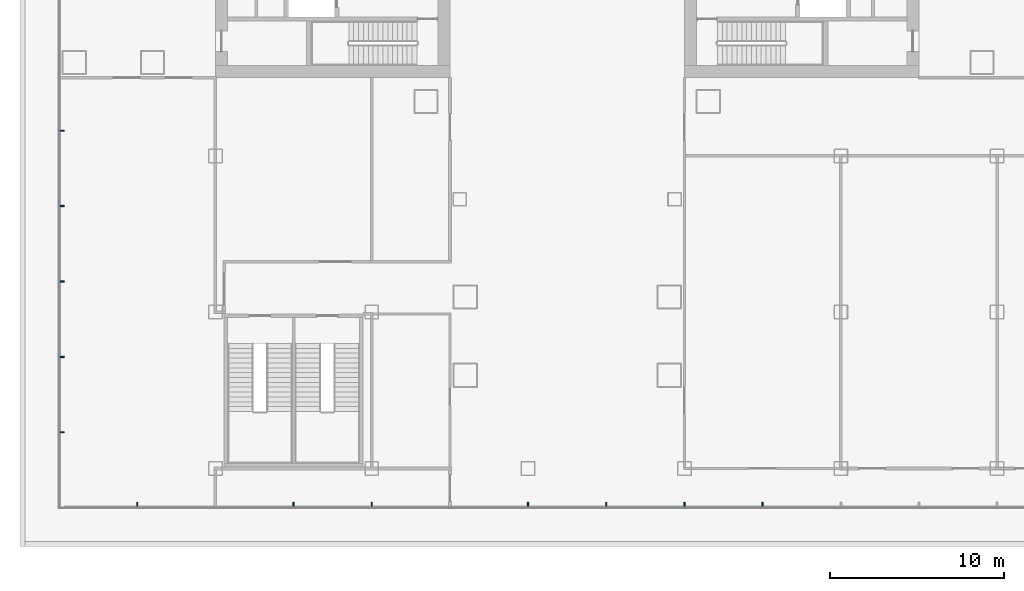
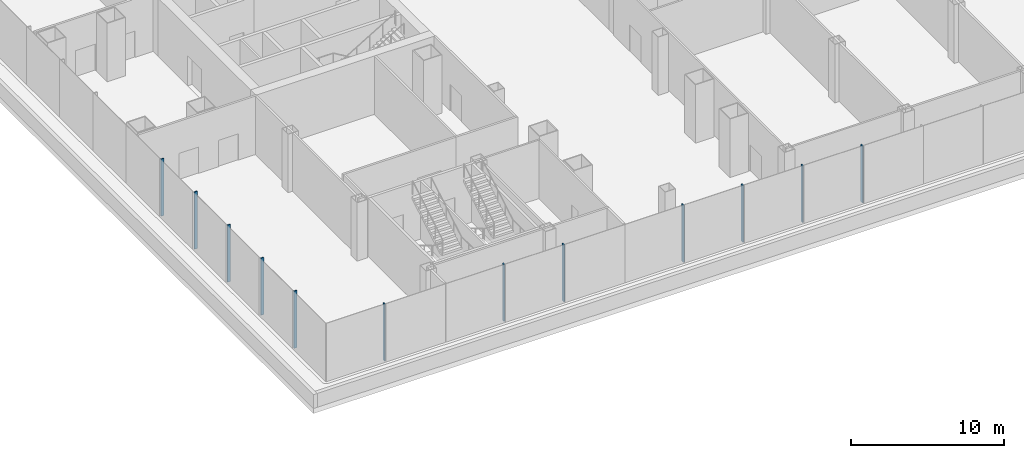
# One storey, part 3 of 30: 12 members, 2 elements without a shape of their own.
"""IFC4 building model written with IfcOpenShell, lengths in metres."""

from ifc_helpers import new_model, si_unit, direction, frame, origin, origin_2d, place, context, subcontext, project, spatial, rectangle, extrude, material, layer, layer_set, material_profile, profile_set, type_object, element, aggregate, save


model = new_model("IFC4")

# Units and contexts
model_context = context("Model", 3, precision=1e-05, world=origin(), true_north=direction((0.0, 1.0)))
body_context = subcontext(model_context, "Body", "Model", "MODEL_VIEW")
ifc_project = project(units=[si_unit("LENGTHUNIT", "METRE"), si_unit("AREAUNIT", "SQUARE_METRE"), si_unit("VOLUMEUNIT", "CUBIC_METRE"), si_unit("PLANEANGLEUNIT", "RADIAN"), si_unit("MASSUNIT", "GRAM", prefix="KILO")], contexts=[model_context])

# Site, building, storey
site_placement = place(None, origin())
site = spatial("IfcSite", under=ifc_project, at=site_placement, CompositionType="ELEMENT")
building_placement = place(site_placement, origin())
building = spatial("IfcBuilding", under=site, at=building_placement, Name="Shamsa Quay Exchange Towers", CompositionType="ELEMENT")
storey_placement = place(building_placement, frame((0.0, 0.0, 23.5)))
storey = spatial("IfcBuildingStorey", under=building, at=storey_placement, Name="L04", CompositionType="ELEMENT", Elevation=23.5)

# Curtain wall, members
ifc_material = material(Name="Aluminium EN AW-6063 T6, black anodised", Category="aluminium")
ifc_layer = layer(ifc_material, 0.33203125)
ifc_layer_set = layer_set([ifc_layer], Name="CW-3 PODIUM SHOPFRONT GLAZING")
curtain_wall_type = type_object("IfcCurtainWallType", Name="CW-3 PODIUM SHOPFRONT GLAZING", PredefinedType="NOTDEFINED", material=ifc_layer_set)
curtain_wall_1_placement = place(storey_placement, origin())
curtain_wall_1 = element("IfcCurtainWall", 1, at=curtain_wall_1_placement, inside=storey, type_object=curtain_wall_type, Name="CW3 PODIUM-L04-F02", PredefinedType="NOTDEFINED")
ifc_material_profile = material_profile(ifc_material, rectangle(XDim=0.219970703125, YDim=0.080078125, at=origin_2d()), Name="MU80x220")
ifc_profile_set = profile_set([ifc_material_profile], Name="Aluminium EN AW-6063 T6, black anodised")
member_type = type_object("IfcMemberType", Name="CW3 MULLION 80x220", PredefinedType="MULLION", material=ifc_profile_set)
member_1_placement = place(storey_placement, frame((-62.81005859375, -9.803466796875, 0.0)))
member_1 = element("IfcMember", 2, at=member_1_placement, type_object=member_type, Name="CW3 mullion", PredefinedType="MULLION", context=body_context, shape_type="SweptSolid", body=[
    extrude(rectangle(XDim=0.219970703125, YDim=0.080078125, at=origin_2d()), origin(), (0.0, 0.0, 1.0), 4.550048828125),
])
member_2_placement = place(storey_placement, frame((-62.81005859375, -14.142822265625, 0.0)))
member_2 = element("IfcMember", 3, at=member_2_placement, type_object=member_type, Name="CW3 mullion", PredefinedType="MULLION", context=body_context, shape_type="SweptSolid", body=[
    extrude(rectangle(XDim=0.219970703125, YDim=0.080078125, at=origin_2d()), origin(), (0.0, 0.0, 1.0), 4.550048828125),
])
member_3_placement = place(storey_placement, frame((-62.81005859375, -18.482177734375, 0.0)))
member_3 = element("IfcMember", 4, at=member_3_placement, type_object=member_type, Name="CW3 mullion", PredefinedType="MULLION", context=body_context, shape_type="SweptSolid", body=[
    extrude(rectangle(XDim=0.219970703125, YDim=0.080078125, at=origin_2d()), origin(), (0.0, 0.0, 1.0), 4.550048828125),
])
member_4_placement = place(storey_placement, frame((-62.81005859375, -22.821533203125, 0.0)))
member_4 = element("IfcMember", 5, at=member_4_placement, type_object=member_type, Name="CW3 mullion", PredefinedType="MULLION", context=body_context, shape_type="SweptSolid", body=[
    extrude(rectangle(XDim=0.219970703125, YDim=0.080078125, at=origin_2d()), origin(), (0.0, 0.0, 1.0), 4.550048828125),
])
member_5_placement = place(storey_placement, frame((-62.81005859375, -27.16064453125, 0.0)))
member_5 = element("IfcMember", 6, at=member_5_placement, type_object=member_type, Name="CW3 mullion", PredefinedType="MULLION", context=body_context, shape_type="SweptSolid", body=[
    extrude(rectangle(XDim=0.219970703125, YDim=0.080078125, at=origin_2d()), origin(), (0.0, 0.0, 1.0), 4.550048828125),
])
aggregate(curtain_wall_1, [member_1, member_2, member_3, member_4, member_5])

curtain_wall_2_placement = place(storey_placement, origin())
curtain_wall_2 = element("IfcCurtainWall", 7, at=curtain_wall_2_placement, inside=storey, type_object=curtain_wall_type, Name="CW3 PODIUM-L04-F03", PredefinedType="NOTDEFINED")
member_6_placement = place(storey_placement, frame((-58.5, -31.31005859375, 0.0), z_axis=(0.0, 0.0, 1.0), x_axis=(0.0, 1.0, 0.0)))
member_6 = element("IfcMember", 8, at=member_6_placement, type_object=member_type, Name="CW3 mullion", PredefinedType="MULLION", context=body_context, shape_type="SweptSolid", body=[
    extrude(rectangle(XDim=0.219970703125, YDim=0.080078125, at=origin_2d()), origin(), (0.0, 0.0, 1.0), 4.550048828125),
])
member_7_placement = place(storey_placement, frame((-49.5, -31.31005859375, 0.0), z_axis=(0.0, 0.0, 1.0), x_axis=(0.0, 1.0, 0.0)))
member_7 = element("IfcMember", 9, at=member_7_placement, type_object=member_type, Name="CW3 mullion", PredefinedType="MULLION", context=body_context, shape_type="SweptSolid", body=[
    extrude(rectangle(XDim=0.219970703125, YDim=0.080078125, at=origin_2d()), origin(), (0.0, 0.0, 1.0), 4.550048828125),
])
member_8_placement = place(storey_placement, frame((-45.0, -31.31005859375, 0.0), z_axis=(0.0, 0.0, 1.0), x_axis=(0.0, 1.0, 0.0)))
member_8 = element("IfcMember", 10, at=member_8_placement, type_object=member_type, Name="CW3 mullion", PredefinedType="MULLION", context=body_context, shape_type="SweptSolid", body=[
    extrude(rectangle(XDim=0.219970703125, YDim=0.080078125, at=origin_2d()), origin(), (0.0, 0.0, 1.0), 4.550048828125),
])
member_9_placement = place(storey_placement, frame((-36.0, -31.31005859375, 0.0), z_axis=(0.0, 0.0, 1.0), x_axis=(0.0, 1.0, 0.0)))
member_9 = element("IfcMember", 11, at=member_9_placement, type_object=member_type, Name="CW3 mullion", PredefinedType="MULLION", context=body_context, shape_type="SweptSolid", body=[
    extrude(rectangle(XDim=0.219970703125, YDim=0.080078125, at=origin_2d()), origin(), (0.0, 0.0, 1.0), 4.550048828125),
])
member_10_placement = place(storey_placement, frame((-31.5, -31.31005859375, 0.0), z_axis=(0.0, 0.0, 1.0), x_axis=(0.0, 1.0, 0.0)))
member_10 = element("IfcMember", 12, at=member_10_placement, type_object=member_type, Name="CW3 mullion", PredefinedType="MULLION", context=body_context, shape_type="SweptSolid", body=[
    extrude(rectangle(XDim=0.219970703125, YDim=0.080078125, at=origin_2d()), origin(), (0.0, 0.0, 1.0), 4.550048828125),
])
member_11_placement = place(storey_placement, frame((-27.0, -31.31005859375, 0.0), z_axis=(0.0, 0.0, 1.0), x_axis=(0.0, 1.0, 0.0)))
member_11 = element("IfcMember", 13, at=member_11_placement, type_object=member_type, Name="CW3 mullion", PredefinedType="MULLION", context=body_context, shape_type="SweptSolid", body=[
    extrude(rectangle(XDim=0.219970703125, YDim=0.080078125, at=origin_2d()), origin(), (0.0, 0.0, 1.0), 4.550048828125),
])
member_12_placement = place(storey_placement, frame((-22.5, -31.31005859375, 0.0), z_axis=(0.0, 0.0, 1.0), x_axis=(0.0, 1.0, 0.0)))
member_12 = element("IfcMember", 14, at=member_12_placement, type_object=member_type, Name="CW3 mullion", PredefinedType="MULLION", context=body_context, shape_type="SweptSolid", body=[
    extrude(rectangle(XDim=0.219970703125, YDim=0.080078125, at=origin_2d()), origin(), (0.0, 0.0, 1.0), 4.550048828125),
])
aggregate(curtain_wall_2, [member_6, member_7, member_8, member_9, member_10, member_11, member_12])

save(model, "model.ifc")
